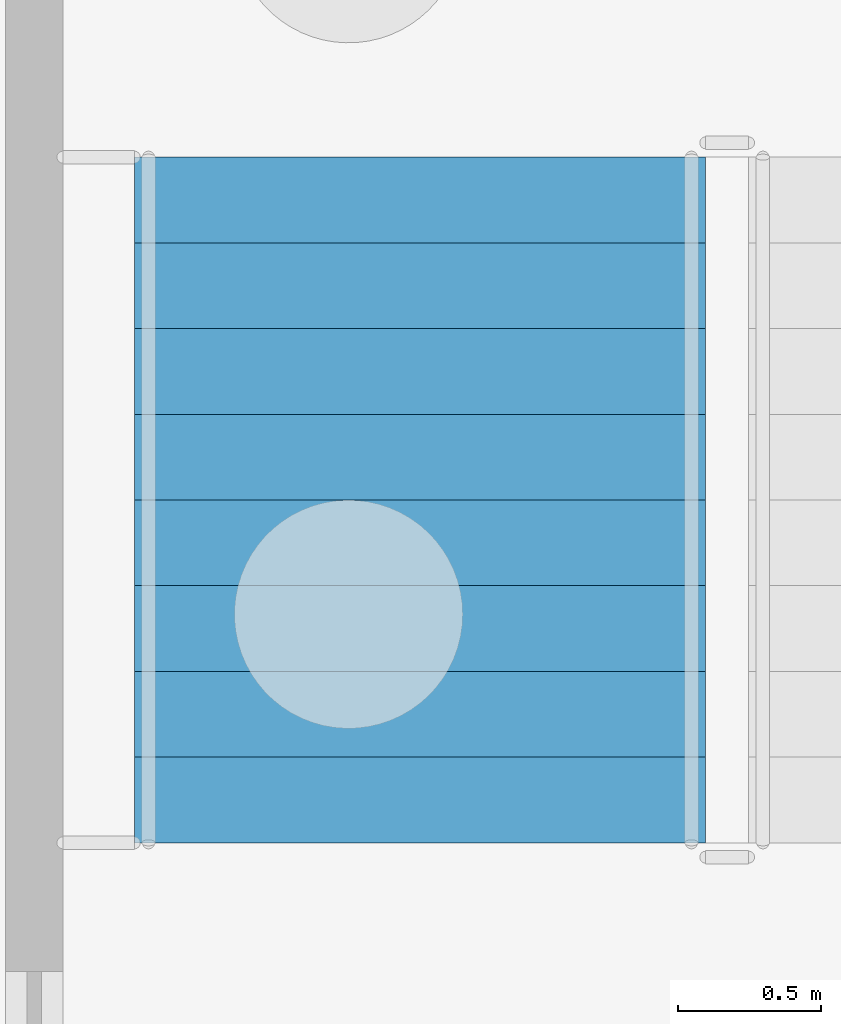
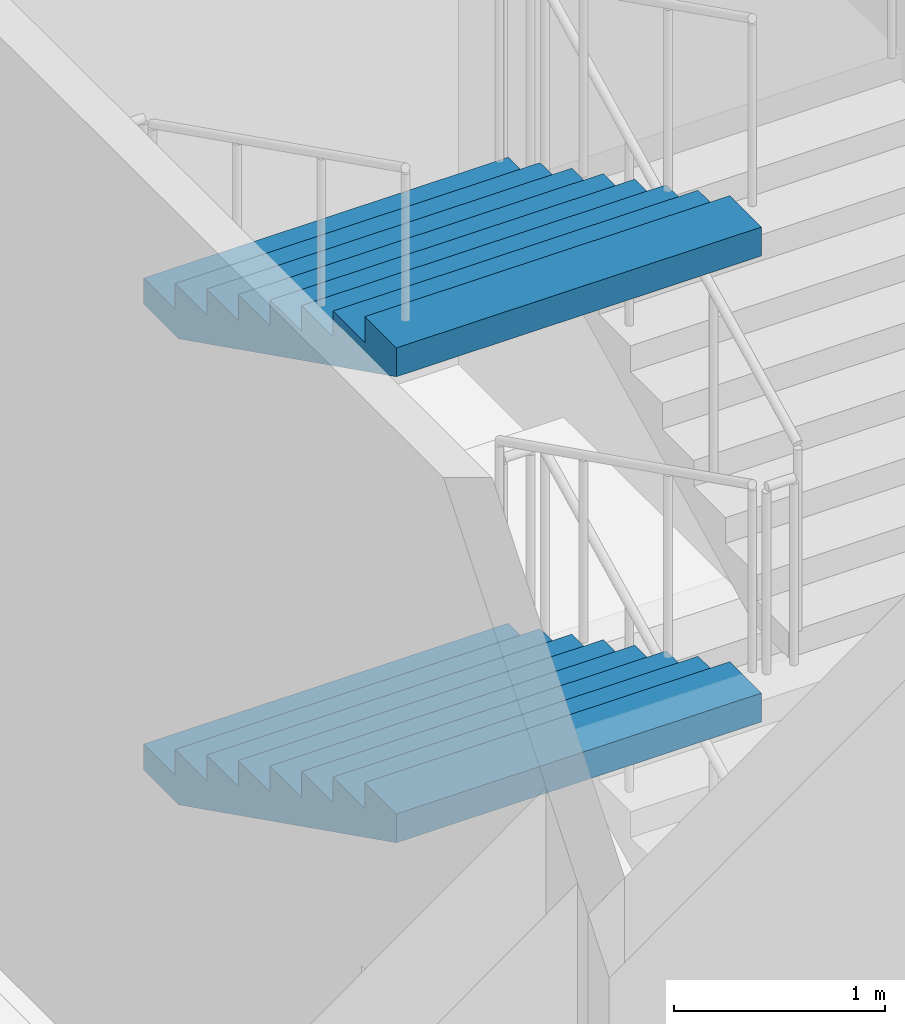
# One storey, part 74 of 129: 2 stair flights, 1 element without a shape of its own.
"""IFC4 building model written with IfcOpenShell, lengths in metres."""

from ifc_helpers import new_model, si_unit, direction, frame, origin, place, context, subcontext, project, spatial, faceted_brep, material, type_object, element, aggregate, save


model = new_model("IFC4")

# Units and contexts
model_context = context("Model", 3, precision=1e-05, world=origin(), true_north=direction((0.0, 1.0)))
body_context = subcontext(model_context, "Body", "Model", "MODEL_VIEW")
ifc_project = project(units=[si_unit("LENGTHUNIT", "METRE"), si_unit("AREAUNIT", "SQUARE_METRE"), si_unit("VOLUMEUNIT", "CUBIC_METRE"), si_unit("PLANEANGLEUNIT", "RADIAN"), si_unit("MASSUNIT", "GRAM", prefix="KILO")], contexts=[model_context])

# Site, building, storey
site_placement = place(None, origin())
site = spatial("IfcSite", under=ifc_project, at=site_placement, CompositionType="ELEMENT")
building_placement = place(site_placement, origin())
building = spatial("IfcBuilding", under=site, at=building_placement, Name="Kiln Court Media Centre", CompositionType="ELEMENT")
storey_placement = place(building_placement, origin())
storey = spatial("IfcBuildingStorey", under=building, at=storey_placement, Name="L00", CompositionType="ELEMENT", Elevation=0.0)

# Stair, stair flights
ifc_material_1 = material(Name="Concrete C40/50", Category="concrete")
stair_type = type_object("IfcStairType", Name="Concrete C40/50 dog-leg stair 2000 wide, 150 riser", PredefinedType="HALF_TURN_STAIR", material=ifc_material_1)
stair_placement = place(storey_placement, origin())
stair = element("IfcStair", 1, at=stair_placement, inside=storey, type_object=stair_type, Name="ST-09 L00", PredefinedType="HALF_TURN_STAIR")
ifc_material_2 = material(Name="Concrete C40/50", Category="concrete")
stair_flight_type = type_object("IfcStairFlightType", Name="Concrete C40/50 stair flight 2000 wide, 150 riser, 300 going", PredefinedType="STRAIGHT", material=ifc_material_2)
stair_flight_1_placement = place(storey_placement, frame((63.85009765625, 30.39990234375, 1.35009765625), z_axis=(0.0, 0.0, 1.0), x_axis=(0.0, -1.0, 0.0)))
stair_flight_1 = element("IfcStairFlight", 2, at=stair_flight_1_placement, type_object=stair_flight_type, Name="L00-ST-5008 flight 5033", NumberOfRisers=9, NumberOfTreads=8, PredefinedType="STRAIGHT", RiserHeight=0.15, TreadLength=0.3, context=body_context, shape_type="Brep", body=[
    faceted_brep([(0.335205078125, -1.0, 0.0), (2.39990234375, -1.0, 1.032470703125), (2.39990234375, -1.0, 1.199951171875), (2.10009765625, -1.0, 1.199951171875), (2.10009765625, -1.0, 1.050048828125), (1.800048828125, -1.0, 1.050048828125), (1.800048828125, -1.0, 0.89990234375), (1.5, -1.0, 0.89990234375), (1.5, -1.0, 0.75), (1.199951171875, -1.0, 0.75), (1.199951171875, -1.0, 0.60009765625), (0.89990234375, -1.0, 0.60009765625), (0.89990234375, -1.0, 0.449951171875), (0.60009765625, -1.0, 0.449951171875), (0.60009765625, -1.0, 0.300048828125), (0.300048828125, -1.0, 0.300048828125), (0.300048828125, -1.0, 0.14990234375), (0.0, -1.0, 0.14990234375), (0.0, -1.0, 0.0), (0.0, 1.0, 0.0), (0.0, 1.0, 0.14990234375), (0.300048828125, 1.0, 0.14990234375), (0.300048828125, 1.0, 0.300048828125), (0.60009765625, 1.0, 0.300048828125), (0.60009765625, 1.0, 0.449951171875), (0.89990234375, 1.0, 0.449951171875), (0.89990234375, 1.0, 0.60009765625), (1.199951171875, 1.0, 0.60009765625), (1.199951171875, 1.0, 0.75), (1.5, 1.0, 0.75), (1.5, 1.0, 0.89990234375), (1.800048828125, 1.0, 0.89990234375), (1.800048828125, 1.0, 1.050048828125), (2.10009765625, 1.0, 1.050048828125), (2.10009765625, 1.0, 1.199951171875), (2.39990234375, 1.0, 1.199951171875), (2.39990234375, 1.0, 1.032470703125), (0.335205078125, 1.0, 0.0), (2.39990234375, 0.10009765625, 1.032470703125), (0.335205078125, 0.10009765625, 0.0), (2.39990234375, 0.080078125, 1.032470703125), (0.335205078125, 0.080078125, 0.0), (2.39990234375, 0.06005859375, 1.032470703125), (0.335205078125, 0.06005859375, 0.0), (2.39990234375, 0.0400390625, 1.032470703125), (0.335205078125, 0.0400390625, 0.0), (2.39990234375, 0.02001953125, 1.032470703125), (0.335205078125, 0.02001953125, 0.0), (2.39990234375, 0.0, 1.032470703125), (0.335205078125, 0.0, 0.0), (2.39990234375, -0.02001953125, 1.032470703125), (0.335205078125, -0.02001953125, 0.0), (2.39990234375, -0.0400390625, 1.032470703125), (0.335205078125, -0.0400390625, 0.0), (2.39990234375, -0.06005859375, 1.032470703125), (0.335205078125, -0.06005859375, 0.0), (2.39990234375, -0.080078125, 1.032470703125), (0.335205078125, -0.080078125, 0.0), (2.39990234375, -0.10009765625, 1.032470703125), (0.335205078125, -0.10009765625, 0.0), (2.39990234375, 0.10009765625, 1.199951171875), (2.39990234375, 0.080078125, 1.199951171875), (2.39990234375, 0.06005859375, 1.199951171875), (2.39990234375, 0.0400390625, 1.199951171875), (2.39990234375, 0.02001953125, 1.199951171875), (2.39990234375, 0.0, 1.199951171875), (2.39990234375, -0.02001953125, 1.199951171875), (2.39990234375, -0.0400390625, 1.199951171875), (2.39990234375, -0.06005859375, 1.199951171875), (2.39990234375, -0.080078125, 1.199951171875), (2.39990234375, -0.10009765625, 1.199951171875), (2.10009765625, 0.10009765625, 1.199951171875), (2.10009765625, 0.080078125, 1.199951171875), (2.10009765625, 0.06005859375, 1.199951171875), (2.10009765625, 0.0400390625, 1.199951171875), (2.10009765625, 0.02001953125, 1.199951171875), (2.10009765625, 0.0, 1.199951171875), (2.10009765625, -0.02001953125, 1.199951171875), (2.10009765625, -0.0400390625, 1.199951171875), (2.10009765625, -0.06005859375, 1.199951171875), (2.10009765625, -0.080078125, 1.199951171875), (2.10009765625, -0.10009765625, 1.199951171875), (2.10009765625, 0.10009765625, 1.050048828125), (2.10009765625, 0.080078125, 1.050048828125), (2.10009765625, 0.06005859375, 1.050048828125), (2.10009765625, 0.0400390625, 1.050048828125), (2.10009765625, 0.02001953125, 1.050048828125), (2.10009765625, 0.0, 1.050048828125), (2.10009765625, -0.02001953125, 1.050048828125), (2.10009765625, -0.0400390625, 1.050048828125), (2.10009765625, -0.06005859375, 1.050048828125), (2.10009765625, -0.080078125, 1.050048828125), (2.10009765625, -0.10009765625, 1.050048828125), (1.800048828125, 0.10009765625, 1.050048828125), (1.800048828125, 0.080078125, 1.050048828125), (1.800048828125, 0.06005859375, 1.050048828125), (1.800048828125, 0.0400390625, 1.050048828125), (1.800048828125, 0.02001953125, 1.050048828125), (1.800048828125, 0.0, 1.050048828125), (1.800048828125, -0.02001953125, 1.050048828125), (1.800048828125, -0.0400390625, 1.050048828125), (1.800048828125, -0.06005859375, 1.050048828125), (1.800048828125, -0.080078125, 1.050048828125), (1.800048828125, -0.10009765625, 1.050048828125), (1.800048828125, 0.10009765625, 0.89990234375), (1.800048828125, 0.080078125, 0.89990234375), (1.800048828125, 0.06005859375, 0.89990234375), (1.800048828125, 0.0400390625, 0.89990234375), (1.800048828125, 0.02001953125, 0.89990234375), (1.800048828125, 0.0, 0.89990234375), (1.800048828125, -0.02001953125, 0.89990234375), (1.800048828125, -0.0400390625, 0.89990234375), (1.800048828125, -0.06005859375, 0.89990234375), (1.800048828125, -0.080078125, 0.89990234375), (1.800048828125, -0.10009765625, 0.89990234375), (1.5, 0.10009765625, 0.89990234375), (1.5, 0.080078125, 0.89990234375), (1.5, 0.06005859375, 0.89990234375), (1.5, 0.0400390625, 0.89990234375), (1.5, 0.02001953125, 0.89990234375), (1.5, 0.0, 0.89990234375), (1.5, -0.02001953125, 0.89990234375), (1.5, -0.0400390625, 0.89990234375), (1.5, -0.06005859375, 0.89990234375), (1.5, -0.080078125, 0.89990234375), (1.5, -0.10009765625, 0.89990234375), (1.5, 0.10009765625, 0.75), (1.5, 0.080078125, 0.75), (1.5, 0.06005859375, 0.75), (1.5, 0.0400390625, 0.75), (1.5, 0.02001953125, 0.75), (1.5, 0.0, 0.75), (1.5, -0.02001953125, 0.75), (1.5, -0.0400390625, 0.75), (1.5, -0.06005859375, 0.75), (1.5, -0.080078125, 0.75), (1.5, -0.10009765625, 0.75), (1.199951171875, 0.10009765625, 0.75), (1.199951171875, 0.080078125, 0.75), (1.199951171875, 0.06005859375, 0.75), (1.199951171875, 0.0400390625, 0.75), (1.199951171875, 0.02001953125, 0.75), (1.199951171875, 0.0, 0.75), (1.199951171875, -0.02001953125, 0.75), (1.199951171875, -0.0400390625, 0.75), (1.199951171875, -0.06005859375, 0.75), (1.199951171875, -0.080078125, 0.75), (1.199951171875, -0.10009765625, 0.75), (1.199951171875, 0.10009765625, 0.60009765625), (1.199951171875, 0.080078125, 0.60009765625), (1.199951171875, 0.06005859375, 0.60009765625), (1.199951171875, 0.0400390625, 0.60009765625), (1.199951171875, 0.02001953125, 0.60009765625), (1.199951171875, 0.0, 0.60009765625), (1.199951171875, -0.02001953125, 0.60009765625), (1.199951171875, -0.0400390625, 0.60009765625), (1.199951171875, -0.06005859375, 0.60009765625), (1.199951171875, -0.080078125, 0.60009765625), (1.199951171875, -0.10009765625, 0.60009765625), (0.89990234375, 0.10009765625, 0.60009765625), (0.89990234375, 0.080078125, 0.60009765625), (0.89990234375, 0.06005859375, 0.60009765625), (0.89990234375, 0.0400390625, 0.60009765625), (0.89990234375, 0.02001953125, 0.60009765625), (0.89990234375, 0.0, 0.60009765625), (0.89990234375, -0.02001953125, 0.60009765625), (0.89990234375, -0.0400390625, 0.60009765625), (0.89990234375, -0.06005859375, 0.60009765625), (0.89990234375, -0.080078125, 0.60009765625), (0.89990234375, -0.10009765625, 0.60009765625), (0.89990234375, 0.10009765625, 0.449951171875), (0.89990234375, 0.080078125, 0.449951171875), (0.89990234375, 0.06005859375, 0.449951171875), (0.89990234375, 0.0400390625, 0.449951171875), (0.89990234375, 0.02001953125, 0.449951171875), (0.89990234375, 0.0, 0.449951171875), (0.89990234375, -0.02001953125, 0.449951171875), (0.89990234375, -0.0400390625, 0.449951171875), (0.89990234375, -0.06005859375, 0.449951171875), (0.89990234375, -0.080078125, 0.449951171875), (0.89990234375, -0.10009765625, 0.449951171875), (0.60009765625, 0.10009765625, 0.449951171875), (0.60009765625, 0.080078125, 0.449951171875), (0.60009765625, 0.06005859375, 0.449951171875), (0.60009765625, 0.0400390625, 0.449951171875), (0.60009765625, 0.02001953125, 0.449951171875), (0.60009765625, 0.0, 0.449951171875), (0.60009765625, -0.02001953125, 0.449951171875), (0.60009765625, -0.0400390625, 0.449951171875), (0.60009765625, -0.06005859375, 0.449951171875), (0.60009765625, -0.080078125, 0.449951171875), (0.60009765625, -0.10009765625, 0.449951171875), (0.60009765625, 0.10009765625, 0.300048828125), (0.60009765625, 0.080078125, 0.300048828125), (0.60009765625, 0.06005859375, 0.300048828125), (0.60009765625, 0.0400390625, 0.300048828125), (0.60009765625, 0.02001953125, 0.300048828125), (0.60009765625, 0.0, 0.300048828125), (0.60009765625, -0.02001953125, 0.300048828125), (0.60009765625, -0.0400390625, 0.300048828125), (0.60009765625, -0.06005859375, 0.300048828125), (0.60009765625, -0.080078125, 0.300048828125), (0.60009765625, -0.10009765625, 0.300048828125), (0.300048828125, 0.10009765625, 0.300048828125), (0.300048828125, 0.080078125, 0.300048828125), (0.300048828125, 0.06005859375, 0.300048828125), (0.300048828125, 0.0400390625, 0.300048828125), (0.300048828125, 0.02001953125, 0.300048828125), (0.300048828125, 0.0, 0.300048828125), (0.300048828125, -0.02001953125, 0.300048828125), (0.300048828125, -0.0400390625, 0.300048828125), (0.300048828125, -0.06005859375, 0.300048828125), (0.300048828125, -0.080078125, 0.300048828125), (0.300048828125, -0.10009765625, 0.300048828125), (0.300048828125, 0.10009765625, 0.14990234375), (0.300048828125, 0.080078125, 0.14990234375), (0.300048828125, 0.06005859375, 0.14990234375), (0.300048828125, 0.0400390625, 0.14990234375), (0.300048828125, 0.02001953125, 0.14990234375), (0.300048828125, 0.0, 0.14990234375), (0.300048828125, -0.02001953125, 0.14990234375), (0.300048828125, -0.0400390625, 0.14990234375), (0.300048828125, -0.06005859375, 0.14990234375), (0.300048828125, -0.080078125, 0.14990234375), (0.300048828125, -0.10009765625, 0.14990234375), (0.0, 0.10009765625, 0.14990234375), (0.0, 0.080078125, 0.14990234375), (0.0, 0.06005859375, 0.14990234375), (0.0, 0.0400390625, 0.14990234375), (0.0, 0.02001953125, 0.14990234375), (0.0, 0.0, 0.14990234375), (0.0, -0.02001953125, 0.14990234375), (0.0, -0.0400390625, 0.14990234375), (0.0, -0.06005859375, 0.14990234375), (0.0, -0.080078125, 0.14990234375), (0.0, -0.10009765625, 0.14990234375), (0.0, 0.10009765625, 0.0), (0.0, 0.080078125, 0.0), (0.0, 0.06005859375, 0.0), (0.0, 0.0400390625, 0.0), (0.0, 0.02001953125, 0.0), (0.0, 0.0, 0.0), (0.0, -0.02001953125, 0.0), (0.0, -0.0400390625, 0.0), (0.0, -0.06005859375, 0.0), (0.0, -0.080078125, 0.0), (0.0, -0.10009765625, 0.0)], [[[0, 1, 2, 3, 4, 5, 6, 7, 8, 9, 10, 11, 12, 13, 14, 15, 16, 17, 18]], [[19, 20, 21, 22, 23, 24, 25, 26, 27, 28, 29, 30, 31, 32, 33, 34, 35, 36, 37]], [[37, 36, 38, 39]], [[39, 38, 40, 41]], [[41, 40, 42, 43]], [[43, 42, 44, 45]], [[45, 44, 46, 47]], [[47, 46, 48, 49]], [[49, 48, 50, 51]], [[51, 50, 52, 53]], [[53, 52, 54, 55]], [[55, 54, 56, 57]], [[57, 56, 58, 59]], [[59, 58, 1, 0]], [[36, 35, 60, 38]], [[38, 60, 61, 40]], [[40, 61, 62, 42]], [[42, 62, 63, 44]], [[44, 63, 64, 46]], [[46, 64, 65, 48]], [[48, 65, 66, 50]], [[50, 66, 67, 52]], [[52, 67, 68, 54]], [[54, 68, 69, 56]], [[56, 69, 70, 58]], [[58, 70, 2, 1]], [[35, 34, 71, 60]], [[60, 71, 72, 61]], [[61, 72, 73, 62]], [[62, 73, 74, 63]], [[63, 74, 75, 64]], [[64, 75, 76, 65]], [[65, 76, 77, 66]], [[66, 77, 78, 67]], [[67, 78, 79, 68]], [[68, 79, 80, 69]], [[69, 80, 81, 70]], [[70, 81, 3, 2]], [[34, 33, 82, 71]], [[71, 82, 83, 72]], [[72, 83, 84, 73]], [[73, 84, 85, 74]], [[74, 85, 86, 75]], [[75, 86, 87, 76]], [[76, 87, 88, 77]], [[77, 88, 89, 78]], [[78, 89, 90, 79]], [[79, 90, 91, 80]], [[80, 91, 92, 81]], [[81, 92, 4, 3]], [[33, 32, 93, 82]], [[82, 93, 94, 83]], [[83, 94, 95, 84]], [[84, 95, 96, 85]], [[85, 96, 97, 86]], [[86, 97, 98, 87]], [[87, 98, 99, 88]], [[88, 99, 100, 89]], [[89, 100, 101, 90]], [[90, 101, 102, 91]], [[91, 102, 103, 92]], [[92, 103, 5, 4]], [[32, 31, 104, 93]], [[93, 104, 105, 94]], [[94, 105, 106, 95]], [[95, 106, 107, 96]], [[96, 107, 108, 97]], [[97, 108, 109, 98]], [[98, 109, 110, 99]], [[99, 110, 111, 100]], [[100, 111, 112, 101]], [[101, 112, 113, 102]], [[102, 113, 114, 103]], [[103, 114, 6, 5]], [[31, 30, 115, 104]], [[104, 115, 116, 105]], [[105, 116, 117, 106]], [[106, 117, 118, 107]], [[107, 118, 119, 108]], [[108, 119, 120, 109]], [[109, 120, 121, 110]], [[110, 121, 122, 111]], [[111, 122, 123, 112]], [[112, 123, 124, 113]], [[113, 124, 125, 114]], [[114, 125, 7, 6]], [[30, 29, 126, 115]], [[115, 126, 127, 116]], [[116, 127, 128, 117]], [[117, 128, 129, 118]], [[118, 129, 130, 119]], [[119, 130, 131, 120]], [[120, 131, 132, 121]], [[121, 132, 133, 122]], [[122, 133, 134, 123]], [[123, 134, 135, 124]], [[124, 135, 136, 125]], [[125, 136, 8, 7]], [[29, 28, 137, 126]], [[126, 137, 138, 127]], [[127, 138, 139, 128]], [[128, 139, 140, 129]], [[129, 140, 141, 130]], [[130, 141, 142, 131]], [[131, 142, 143, 132]], [[132, 143, 144, 133]], [[133, 144, 145, 134]], [[134, 145, 146, 135]], [[135, 146, 147, 136]], [[136, 147, 9, 8]], [[28, 27, 148, 137]], [[137, 148, 149, 138]], [[138, 149, 150, 139]], [[139, 150, 151, 140]], [[140, 151, 152, 141]], [[141, 152, 153, 142]], [[142, 153, 154, 143]], [[143, 154, 155, 144]], [[144, 155, 156, 145]], [[145, 156, 157, 146]], [[146, 157, 158, 147]], [[147, 158, 10, 9]], [[27, 26, 159, 148]], [[148, 159, 160, 149]], [[149, 160, 161, 150]], [[150, 161, 162, 151]], [[151, 162, 163, 152]], [[152, 163, 164, 153]], [[153, 164, 165, 154]], [[154, 165, 166, 155]], [[155, 166, 167, 156]], [[156, 167, 168, 157]], [[157, 168, 169, 158]], [[158, 169, 11, 10]], [[26, 25, 170, 159]], [[159, 170, 171, 160]], [[160, 171, 172, 161]], [[161, 172, 173, 162]], [[162, 173, 174, 163]], [[163, 174, 175, 164]], [[164, 175, 176, 165]], [[165, 176, 177, 166]], [[166, 177, 178, 167]], [[167, 178, 179, 168]], [[168, 179, 180, 169]], [[169, 180, 12, 11]], [[25, 24, 181, 170]], [[170, 181, 182, 171]], [[171, 182, 183, 172]], [[172, 183, 184, 173]], [[173, 184, 185, 174]], [[174, 185, 186, 175]], [[175, 186, 187, 176]], [[176, 187, 188, 177]], [[177, 188, 189, 178]], [[178, 189, 190, 179]], [[179, 190, 191, 180]], [[180, 191, 13, 12]], [[24, 23, 192, 181]], [[181, 192, 193, 182]], [[182, 193, 194, 183]], [[183, 194, 195, 184]], [[184, 195, 196, 185]], [[185, 196, 197, 186]], [[186, 197, 198, 187]], [[187, 198, 199, 188]], [[188, 199, 200, 189]], [[189, 200, 201, 190]], [[190, 201, 202, 191]], [[191, 202, 14, 13]], [[23, 22, 203, 192]], [[192, 203, 204, 193]], [[193, 204, 205, 194]], [[194, 205, 206, 195]], [[195, 206, 207, 196]], [[196, 207, 208, 197]], [[197, 208, 209, 198]], [[198, 209, 210, 199]], [[199, 210, 211, 200]], [[200, 211, 212, 201]], [[201, 212, 213, 202]], [[202, 213, 15, 14]], [[22, 21, 214, 203]], [[203, 214, 215, 204]], [[204, 215, 216, 205]], [[205, 216, 217, 206]], [[206, 217, 218, 207]], [[207, 218, 219, 208]], [[208, 219, 220, 209]], [[209, 220, 221, 210]], [[210, 221, 222, 211]], [[211, 222, 223, 212]], [[212, 223, 224, 213]], [[213, 224, 16, 15]], [[21, 20, 225, 214]], [[214, 225, 226, 215]], [[215, 226, 227, 216]], [[216, 227, 228, 217]], [[217, 228, 229, 218]], [[218, 229, 230, 219]], [[219, 230, 231, 220]], [[220, 231, 232, 221]], [[221, 232, 233, 222]], [[222, 233, 234, 223]], [[223, 234, 235, 224]], [[224, 235, 17, 16]], [[20, 19, 236, 225]], [[225, 236, 237, 226]], [[226, 237, 238, 227]], [[227, 238, 239, 228]], [[228, 239, 240, 229]], [[229, 240, 241, 230]], [[230, 241, 242, 231]], [[231, 242, 243, 232]], [[232, 243, 244, 233]], [[233, 244, 245, 234]], [[234, 245, 246, 235]], [[235, 246, 18, 17]], [[19, 37, 39, 236]], [[236, 39, 41, 237]], [[237, 41, 43, 238]], [[238, 43, 45, 239]], [[239, 45, 47, 240]], [[240, 47, 49, 241]], [[241, 49, 51, 242]], [[242, 51, 53, 243]], [[243, 53, 55, 244]], [[244, 55, 57, 245]], [[245, 57, 59, 246]], [[246, 59, 0, 18]]]),
])
stair_flight_2_placement = place(storey_placement, frame((63.85009765625, 30.39990234375, 4.050048828125), z_axis=(0.0, 0.0, 1.0), x_axis=(0.0, -1.0, 0.0)))
stair_flight_2 = element("IfcStairFlight", 3, at=stair_flight_2_placement, type_object=stair_flight_type, Name="L00-ST-5008 flight 5035", NumberOfRisers=9, NumberOfTreads=8, PredefinedType="STRAIGHT", RiserHeight=0.15, TreadLength=0.3, context=body_context, shape_type="Brep", body=[
    faceted_brep([(0.335205078125, -1.0, 0.0), (2.39990234375, -1.0, 1.032470703125), (2.39990234375, -1.0, 1.199951171875), (2.10009765625, -1.0, 1.199951171875), (2.10009765625, -1.0, 1.050048828125), (1.800048828125, -1.0, 1.050048828125), (1.800048828125, -1.0, 0.89990234375), (1.5, -1.0, 0.89990234375), (1.5, -1.0, 0.75), (1.199951171875, -1.0, 0.75), (1.199951171875, -1.0, 0.60009765625), (0.89990234375, -1.0, 0.60009765625), (0.89990234375, -1.0, 0.449951171875), (0.60009765625, -1.0, 0.449951171875), (0.60009765625, -1.0, 0.300048828125), (0.300048828125, -1.0, 0.300048828125), (0.300048828125, -1.0, 0.14990234375), (0.0, -1.0, 0.14990234375), (0.0, -1.0, 0.0), (0.0, 1.0, 0.0), (0.0, 1.0, 0.14990234375), (0.300048828125, 1.0, 0.14990234375), (0.300048828125, 1.0, 0.300048828125), (0.60009765625, 1.0, 0.300048828125), (0.60009765625, 1.0, 0.449951171875), (0.89990234375, 1.0, 0.449951171875), (0.89990234375, 1.0, 0.60009765625), (1.199951171875, 1.0, 0.60009765625), (1.199951171875, 1.0, 0.75), (1.5, 1.0, 0.75), (1.5, 1.0, 0.89990234375), (1.800048828125, 1.0, 0.89990234375), (1.800048828125, 1.0, 1.050048828125), (2.10009765625, 1.0, 1.050048828125), (2.10009765625, 1.0, 1.199951171875), (2.39990234375, 1.0, 1.199951171875), (2.39990234375, 1.0, 1.032470703125), (0.335205078125, 1.0, 0.0), (2.39990234375, 0.10009765625, 1.032470703125), (0.335205078125, 0.10009765625, 0.0), (2.39990234375, 0.080078125, 1.032470703125), (0.335205078125, 0.080078125, 0.0), (2.39990234375, 0.06005859375, 1.032470703125), (0.335205078125, 0.06005859375, 0.0), (2.39990234375, 0.0400390625, 1.032470703125), (0.335205078125, 0.0400390625, 0.0), (2.39990234375, 0.02001953125, 1.032470703125), (0.335205078125, 0.02001953125, 0.0), (2.39990234375, 0.0, 1.032470703125), (0.335205078125, 0.0, 0.0), (2.39990234375, -0.02001953125, 1.032470703125), (0.335205078125, -0.02001953125, 0.0), (2.39990234375, -0.0400390625, 1.032470703125), (0.335205078125, -0.0400390625, 0.0), (2.39990234375, -0.06005859375, 1.032470703125), (0.335205078125, -0.06005859375, 0.0), (2.39990234375, -0.080078125, 1.032470703125), (0.335205078125, -0.080078125, 0.0), (2.39990234375, -0.10009765625, 1.032470703125), (0.335205078125, -0.10009765625, 0.0), (2.39990234375, 0.10009765625, 1.199951171875), (2.39990234375, 0.080078125, 1.199951171875), (2.39990234375, 0.06005859375, 1.199951171875), (2.39990234375, 0.0400390625, 1.199951171875), (2.39990234375, 0.02001953125, 1.199951171875), (2.39990234375, 0.0, 1.199951171875), (2.39990234375, -0.02001953125, 1.199951171875), (2.39990234375, -0.0400390625, 1.199951171875), (2.39990234375, -0.06005859375, 1.199951171875), (2.39990234375, -0.080078125, 1.199951171875), (2.39990234375, -0.10009765625, 1.199951171875), (2.10009765625, 0.10009765625, 1.199951171875), (2.10009765625, 0.080078125, 1.199951171875), (2.10009765625, 0.06005859375, 1.199951171875), (2.10009765625, 0.0400390625, 1.199951171875), (2.10009765625, 0.02001953125, 1.199951171875), (2.10009765625, 0.0, 1.199951171875), (2.10009765625, -0.02001953125, 1.199951171875), (2.10009765625, -0.0400390625, 1.199951171875), (2.10009765625, -0.06005859375, 1.199951171875), (2.10009765625, -0.080078125, 1.199951171875), (2.10009765625, -0.10009765625, 1.199951171875), (2.10009765625, 0.10009765625, 1.050048828125), (2.10009765625, 0.080078125, 1.050048828125), (2.10009765625, 0.06005859375, 1.050048828125), (2.10009765625, 0.0400390625, 1.050048828125), (2.10009765625, 0.02001953125, 1.050048828125), (2.10009765625, 0.0, 1.050048828125), (2.10009765625, -0.02001953125, 1.050048828125), (2.10009765625, -0.0400390625, 1.050048828125), (2.10009765625, -0.06005859375, 1.050048828125), (2.10009765625, -0.080078125, 1.050048828125), (2.10009765625, -0.10009765625, 1.050048828125), (1.800048828125, 0.10009765625, 1.050048828125), (1.800048828125, 0.080078125, 1.050048828125), (1.800048828125, 0.06005859375, 1.050048828125), (1.800048828125, 0.0400390625, 1.050048828125), (1.800048828125, 0.02001953125, 1.050048828125), (1.800048828125, 0.0, 1.050048828125), (1.800048828125, -0.02001953125, 1.050048828125), (1.800048828125, -0.0400390625, 1.050048828125), (1.800048828125, -0.06005859375, 1.050048828125), (1.800048828125, -0.080078125, 1.050048828125), (1.800048828125, -0.10009765625, 1.050048828125), (1.800048828125, 0.10009765625, 0.89990234375), (1.800048828125, 0.080078125, 0.89990234375), (1.800048828125, 0.06005859375, 0.89990234375), (1.800048828125, 0.0400390625, 0.89990234375), (1.800048828125, 0.02001953125, 0.89990234375), (1.800048828125, 0.0, 0.89990234375), (1.800048828125, -0.02001953125, 0.89990234375), (1.800048828125, -0.0400390625, 0.89990234375), (1.800048828125, -0.06005859375, 0.89990234375), (1.800048828125, -0.080078125, 0.89990234375), (1.800048828125, -0.10009765625, 0.89990234375), (1.5, 0.10009765625, 0.89990234375), (1.5, 0.080078125, 0.89990234375), (1.5, 0.06005859375, 0.89990234375), (1.5, 0.0400390625, 0.89990234375), (1.5, 0.02001953125, 0.89990234375), (1.5, 0.0, 0.89990234375), (1.5, -0.02001953125, 0.89990234375), (1.5, -0.0400390625, 0.89990234375), (1.5, -0.06005859375, 0.89990234375), (1.5, -0.080078125, 0.89990234375), (1.5, -0.10009765625, 0.89990234375), (1.5, 0.10009765625, 0.75), (1.5, 0.080078125, 0.75), (1.5, 0.06005859375, 0.75), (1.5, 0.0400390625, 0.75), (1.5, 0.02001953125, 0.75), (1.5, 0.0, 0.75), (1.5, -0.02001953125, 0.75), (1.5, -0.0400390625, 0.75), (1.5, -0.06005859375, 0.75), (1.5, -0.080078125, 0.75), (1.5, -0.10009765625, 0.75), (1.199951171875, 0.10009765625, 0.75), (1.199951171875, 0.080078125, 0.75), (1.199951171875, 0.06005859375, 0.75), (1.199951171875, 0.0400390625, 0.75), (1.199951171875, 0.02001953125, 0.75), (1.199951171875, 0.0, 0.75), (1.199951171875, -0.02001953125, 0.75), (1.199951171875, -0.0400390625, 0.75), (1.199951171875, -0.06005859375, 0.75), (1.199951171875, -0.080078125, 0.75), (1.199951171875, -0.10009765625, 0.75), (1.199951171875, 0.10009765625, 0.60009765625), (1.199951171875, 0.080078125, 0.60009765625), (1.199951171875, 0.06005859375, 0.60009765625), (1.199951171875, 0.0400390625, 0.60009765625), (1.199951171875, 0.02001953125, 0.60009765625), (1.199951171875, 0.0, 0.60009765625), (1.199951171875, -0.02001953125, 0.60009765625), (1.199951171875, -0.0400390625, 0.60009765625), (1.199951171875, -0.06005859375, 0.60009765625), (1.199951171875, -0.080078125, 0.60009765625), (1.199951171875, -0.10009765625, 0.60009765625), (0.89990234375, 0.10009765625, 0.60009765625), (0.89990234375, 0.080078125, 0.60009765625), (0.89990234375, 0.06005859375, 0.60009765625), (0.89990234375, 0.0400390625, 0.60009765625), (0.89990234375, 0.02001953125, 0.60009765625), (0.89990234375, 0.0, 0.60009765625), (0.89990234375, -0.02001953125, 0.60009765625), (0.89990234375, -0.0400390625, 0.60009765625), (0.89990234375, -0.06005859375, 0.60009765625), (0.89990234375, -0.080078125, 0.60009765625), (0.89990234375, -0.10009765625, 0.60009765625), (0.89990234375, 0.10009765625, 0.449951171875), (0.89990234375, 0.080078125, 0.449951171875), (0.89990234375, 0.06005859375, 0.449951171875), (0.89990234375, 0.0400390625, 0.449951171875), (0.89990234375, 0.02001953125, 0.449951171875), (0.89990234375, 0.0, 0.449951171875), (0.89990234375, -0.02001953125, 0.449951171875), (0.89990234375, -0.0400390625, 0.449951171875), (0.89990234375, -0.06005859375, 0.449951171875), (0.89990234375, -0.080078125, 0.449951171875), (0.89990234375, -0.10009765625, 0.449951171875), (0.60009765625, 0.10009765625, 0.449951171875), (0.60009765625, 0.080078125, 0.449951171875), (0.60009765625, 0.06005859375, 0.449951171875), (0.60009765625, 0.0400390625, 0.449951171875), (0.60009765625, 0.02001953125, 0.449951171875), (0.60009765625, 0.0, 0.449951171875), (0.60009765625, -0.02001953125, 0.449951171875), (0.60009765625, -0.0400390625, 0.449951171875), (0.60009765625, -0.06005859375, 0.449951171875), (0.60009765625, -0.080078125, 0.449951171875), (0.60009765625, -0.10009765625, 0.449951171875), (0.60009765625, 0.10009765625, 0.300048828125), (0.60009765625, 0.080078125, 0.300048828125), (0.60009765625, 0.06005859375, 0.300048828125), (0.60009765625, 0.0400390625, 0.300048828125), (0.60009765625, 0.02001953125, 0.300048828125), (0.60009765625, 0.0, 0.300048828125), (0.60009765625, -0.02001953125, 0.300048828125), (0.60009765625, -0.0400390625, 0.300048828125), (0.60009765625, -0.06005859375, 0.300048828125), (0.60009765625, -0.080078125, 0.300048828125), (0.60009765625, -0.10009765625, 0.300048828125), (0.300048828125, 0.10009765625, 0.300048828125), (0.300048828125, 0.080078125, 0.300048828125), (0.300048828125, 0.06005859375, 0.300048828125), (0.300048828125, 0.0400390625, 0.300048828125), (0.300048828125, 0.02001953125, 0.300048828125), (0.300048828125, 0.0, 0.300048828125), (0.300048828125, -0.02001953125, 0.300048828125), (0.300048828125, -0.0400390625, 0.300048828125), (0.300048828125, -0.06005859375, 0.300048828125), (0.300048828125, -0.080078125, 0.300048828125), (0.300048828125, -0.10009765625, 0.300048828125), (0.300048828125, 0.10009765625, 0.14990234375), (0.300048828125, 0.080078125, 0.14990234375), (0.300048828125, 0.06005859375, 0.14990234375), (0.300048828125, 0.0400390625, 0.14990234375), (0.300048828125, 0.02001953125, 0.14990234375), (0.300048828125, 0.0, 0.14990234375), (0.300048828125, -0.02001953125, 0.14990234375), (0.300048828125, -0.0400390625, 0.14990234375), (0.300048828125, -0.06005859375, 0.14990234375), (0.300048828125, -0.080078125, 0.14990234375), (0.300048828125, -0.10009765625, 0.14990234375), (0.0, 0.10009765625, 0.14990234375), (0.0, 0.080078125, 0.14990234375), (0.0, 0.06005859375, 0.14990234375), (0.0, 0.0400390625, 0.14990234375), (0.0, 0.02001953125, 0.14990234375), (0.0, 0.0, 0.14990234375), (0.0, -0.02001953125, 0.14990234375), (0.0, -0.0400390625, 0.14990234375), (0.0, -0.06005859375, 0.14990234375), (0.0, -0.080078125, 0.14990234375), (0.0, -0.10009765625, 0.14990234375), (0.0, 0.10009765625, 0.0), (0.0, 0.080078125, 0.0), (0.0, 0.06005859375, 0.0), (0.0, 0.0400390625, 0.0), (0.0, 0.02001953125, 0.0), (0.0, 0.0, 0.0), (0.0, -0.02001953125, 0.0), (0.0, -0.0400390625, 0.0), (0.0, -0.06005859375, 0.0), (0.0, -0.080078125, 0.0), (0.0, -0.10009765625, 0.0)], [[[0, 1, 2, 3, 4, 5, 6, 7, 8, 9, 10, 11, 12, 13, 14, 15, 16, 17, 18]], [[19, 20, 21, 22, 23, 24, 25, 26, 27, 28, 29, 30, 31, 32, 33, 34, 35, 36, 37]], [[37, 36, 38, 39]], [[39, 38, 40, 41]], [[41, 40, 42, 43]], [[43, 42, 44, 45]], [[45, 44, 46, 47]], [[47, 46, 48, 49]], [[49, 48, 50, 51]], [[51, 50, 52, 53]], [[53, 52, 54, 55]], [[55, 54, 56, 57]], [[57, 56, 58, 59]], [[59, 58, 1, 0]], [[36, 35, 60, 38]], [[38, 60, 61, 40]], [[40, 61, 62, 42]], [[42, 62, 63, 44]], [[44, 63, 64, 46]], [[46, 64, 65, 48]], [[48, 65, 66, 50]], [[50, 66, 67, 52]], [[52, 67, 68, 54]], [[54, 68, 69, 56]], [[56, 69, 70, 58]], [[58, 70, 2, 1]], [[35, 34, 71, 60]], [[60, 71, 72, 61]], [[61, 72, 73, 62]], [[62, 73, 74, 63]], [[63, 74, 75, 64]], [[64, 75, 76, 65]], [[65, 76, 77, 66]], [[66, 77, 78, 67]], [[67, 78, 79, 68]], [[68, 79, 80, 69]], [[69, 80, 81, 70]], [[70, 81, 3, 2]], [[34, 33, 82, 71]], [[71, 82, 83, 72]], [[72, 83, 84, 73]], [[73, 84, 85, 74]], [[74, 85, 86, 75]], [[75, 86, 87, 76]], [[76, 87, 88, 77]], [[77, 88, 89, 78]], [[78, 89, 90, 79]], [[79, 90, 91, 80]], [[80, 91, 92, 81]], [[81, 92, 4, 3]], [[33, 32, 93, 82]], [[82, 93, 94, 83]], [[83, 94, 95, 84]], [[84, 95, 96, 85]], [[85, 96, 97, 86]], [[86, 97, 98, 87]], [[87, 98, 99, 88]], [[88, 99, 100, 89]], [[89, 100, 101, 90]], [[90, 101, 102, 91]], [[91, 102, 103, 92]], [[92, 103, 5, 4]], [[32, 31, 104, 93]], [[93, 104, 105, 94]], [[94, 105, 106, 95]], [[95, 106, 107, 96]], [[96, 107, 108, 97]], [[97, 108, 109, 98]], [[98, 109, 110, 99]], [[99, 110, 111, 100]], [[100, 111, 112, 101]], [[101, 112, 113, 102]], [[102, 113, 114, 103]], [[103, 114, 6, 5]], [[31, 30, 115, 104]], [[104, 115, 116, 105]], [[105, 116, 117, 106]], [[106, 117, 118, 107]], [[107, 118, 119, 108]], [[108, 119, 120, 109]], [[109, 120, 121, 110]], [[110, 121, 122, 111]], [[111, 122, 123, 112]], [[112, 123, 124, 113]], [[113, 124, 125, 114]], [[114, 125, 7, 6]], [[30, 29, 126, 115]], [[115, 126, 127, 116]], [[116, 127, 128, 117]], [[117, 128, 129, 118]], [[118, 129, 130, 119]], [[119, 130, 131, 120]], [[120, 131, 132, 121]], [[121, 132, 133, 122]], [[122, 133, 134, 123]], [[123, 134, 135, 124]], [[124, 135, 136, 125]], [[125, 136, 8, 7]], [[29, 28, 137, 126]], [[126, 137, 138, 127]], [[127, 138, 139, 128]], [[128, 139, 140, 129]], [[129, 140, 141, 130]], [[130, 141, 142, 131]], [[131, 142, 143, 132]], [[132, 143, 144, 133]], [[133, 144, 145, 134]], [[134, 145, 146, 135]], [[135, 146, 147, 136]], [[136, 147, 9, 8]], [[28, 27, 148, 137]], [[137, 148, 149, 138]], [[138, 149, 150, 139]], [[139, 150, 151, 140]], [[140, 151, 152, 141]], [[141, 152, 153, 142]], [[142, 153, 154, 143]], [[143, 154, 155, 144]], [[144, 155, 156, 145]], [[145, 156, 157, 146]], [[146, 157, 158, 147]], [[147, 158, 10, 9]], [[27, 26, 159, 148]], [[148, 159, 160, 149]], [[149, 160, 161, 150]], [[150, 161, 162, 151]], [[151, 162, 163, 152]], [[152, 163, 164, 153]], [[153, 164, 165, 154]], [[154, 165, 166, 155]], [[155, 166, 167, 156]], [[156, 167, 168, 157]], [[157, 168, 169, 158]], [[158, 169, 11, 10]], [[26, 25, 170, 159]], [[159, 170, 171, 160]], [[160, 171, 172, 161]], [[161, 172, 173, 162]], [[162, 173, 174, 163]], [[163, 174, 175, 164]], [[164, 175, 176, 165]], [[165, 176, 177, 166]], [[166, 177, 178, 167]], [[167, 178, 179, 168]], [[168, 179, 180, 169]], [[169, 180, 12, 11]], [[25, 24, 181, 170]], [[170, 181, 182, 171]], [[171, 182, 183, 172]], [[172, 183, 184, 173]], [[173, 184, 185, 174]], [[174, 185, 186, 175]], [[175, 186, 187, 176]], [[176, 187, 188, 177]], [[177, 188, 189, 178]], [[178, 189, 190, 179]], [[179, 190, 191, 180]], [[180, 191, 13, 12]], [[24, 23, 192, 181]], [[181, 192, 193, 182]], [[182, 193, 194, 183]], [[183, 194, 195, 184]], [[184, 195, 196, 185]], [[185, 196, 197, 186]], [[186, 197, 198, 187]], [[187, 198, 199, 188]], [[188, 199, 200, 189]], [[189, 200, 201, 190]], [[190, 201, 202, 191]], [[191, 202, 14, 13]], [[23, 22, 203, 192]], [[192, 203, 204, 193]], [[193, 204, 205, 194]], [[194, 205, 206, 195]], [[195, 206, 207, 196]], [[196, 207, 208, 197]], [[197, 208, 209, 198]], [[198, 209, 210, 199]], [[199, 210, 211, 200]], [[200, 211, 212, 201]], [[201, 212, 213, 202]], [[202, 213, 15, 14]], [[22, 21, 214, 203]], [[203, 214, 215, 204]], [[204, 215, 216, 205]], [[205, 216, 217, 206]], [[206, 217, 218, 207]], [[207, 218, 219, 208]], [[208, 219, 220, 209]], [[209, 220, 221, 210]], [[210, 221, 222, 211]], [[211, 222, 223, 212]], [[212, 223, 224, 213]], [[213, 224, 16, 15]], [[21, 20, 225, 214]], [[214, 225, 226, 215]], [[215, 226, 227, 216]], [[216, 227, 228, 217]], [[217, 228, 229, 218]], [[218, 229, 230, 219]], [[219, 230, 231, 220]], [[220, 231, 232, 221]], [[221, 232, 233, 222]], [[222, 233, 234, 223]], [[223, 234, 235, 224]], [[224, 235, 17, 16]], [[20, 19, 236, 225]], [[225, 236, 237, 226]], [[226, 237, 238, 227]], [[227, 238, 239, 228]], [[228, 239, 240, 229]], [[229, 240, 241, 230]], [[230, 241, 242, 231]], [[231, 242, 243, 232]], [[232, 243, 244, 233]], [[233, 244, 245, 234]], [[234, 245, 246, 235]], [[235, 246, 18, 17]], [[19, 37, 39, 236]], [[236, 39, 41, 237]], [[237, 41, 43, 238]], [[238, 43, 45, 239]], [[239, 45, 47, 240]], [[240, 47, 49, 241]], [[241, 49, 51, 242]], [[242, 51, 53, 243]], [[243, 53, 55, 244]], [[244, 55, 57, 245]], [[245, 57, 59, 246]], [[246, 59, 0, 18]]]),
])
aggregate(stair, [stair_flight_1, stair_flight_2])

save(model, "model.ifc")
